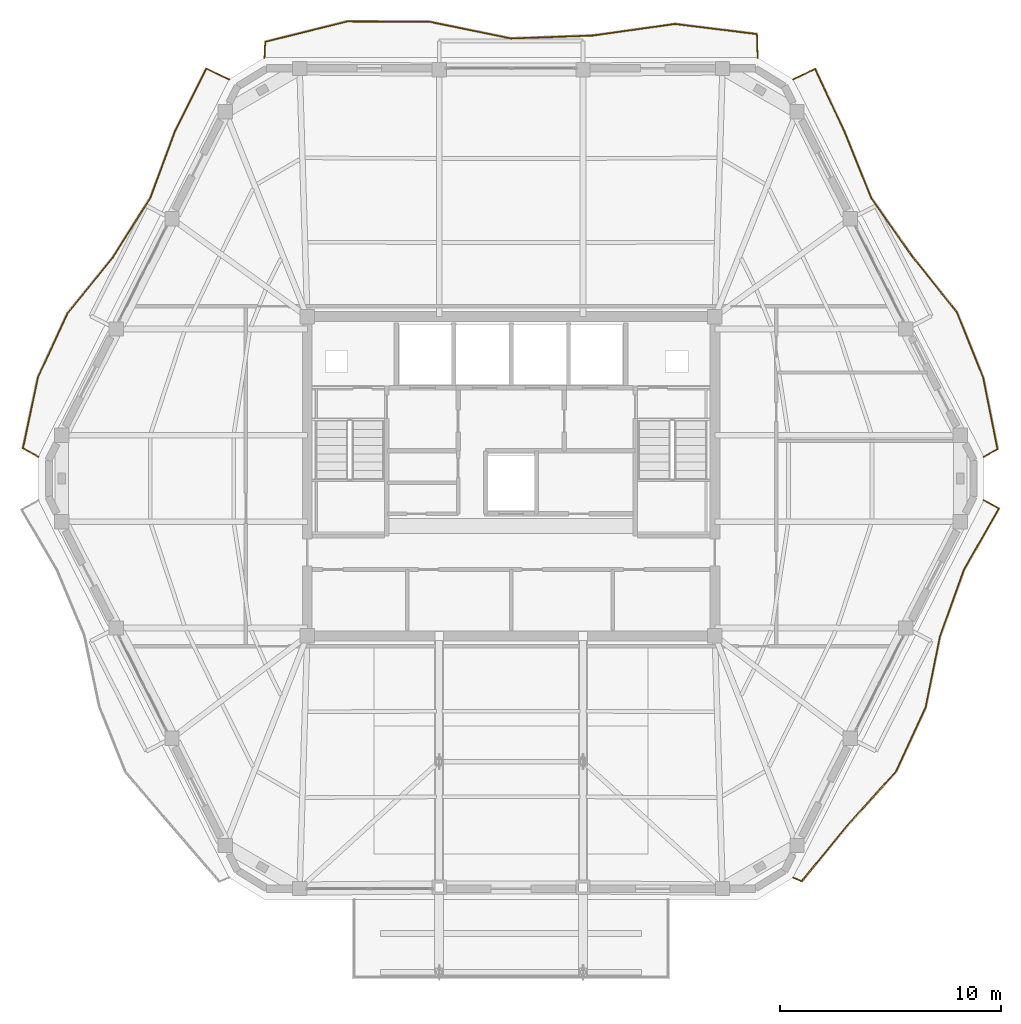
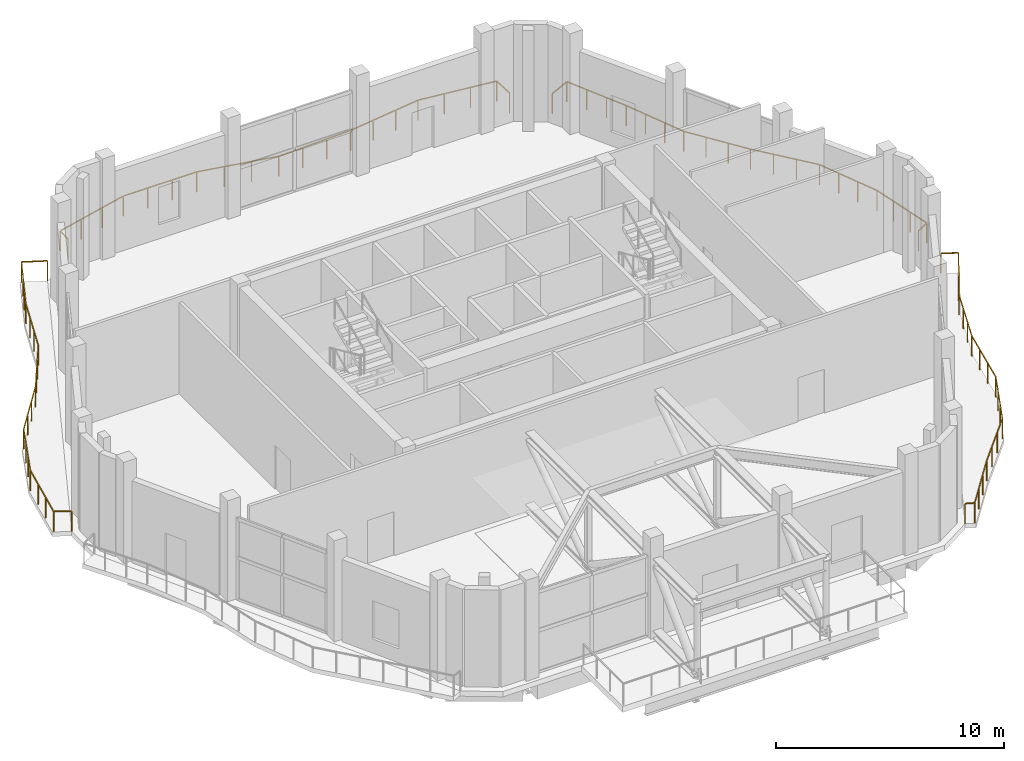
# One storey, part 23 of 23: 4 railings.
"""IFC4 building model written with IfcOpenShell, lengths in metres."""

from ifc_helpers import new_model, si_unit, direction, frame, origin, origin_2d, place, context, subcontext, project, spatial, rectangle, extrude, material, type_object, element, save


model = new_model("IFC4")

# Units and contexts
model_context = context("Model", 3, precision=1e-05, world=origin(), true_north=direction((0.0, 1.0)))
body_context = subcontext(model_context, "Body", "Model", "MODEL_VIEW")
ifc_project = project(units=[si_unit("LENGTHUNIT", "METRE"), si_unit("AREAUNIT", "SQUARE_METRE"), si_unit("VOLUMEUNIT", "CUBIC_METRE"), si_unit("PLANEANGLEUNIT", "RADIAN"), si_unit("MASSUNIT", "GRAM", prefix="KILO")], contexts=[model_context])

# Site, building, storey
site_placement = place(None, origin())
site = spatial("IfcSite", under=ifc_project, at=site_placement, CompositionType="ELEMENT")
building_placement = place(site_placement, origin())
building = spatial("IfcBuilding", under=site, at=building_placement, Name="Cinnabar Lancet Tower", CompositionType="ELEMENT")
storey_placement = place(building_placement, frame((0.0, 0.0, 278.10009765625)))
storey = spatial("IfcBuildingStorey", under=building, at=storey_placement, Name="L74", CompositionType="ELEMENT", Elevation=278.10009765625)

# Railings
ifc_material = material(Name="Laminated safety glass and bronze stainless steel balustrade", Category="steel")
railing_type = type_object("IfcRailingType", Name="ENV-RLG-BAL-1100", PredefinedType="BALUSTRADE", material=ifc_material)
railing_1_placement = place(storey_placement, frame((45.160888671875, 7.73193359375, 0.0)))
element("IfcRailing", 1, at=railing_1_placement, inside=storey, type_object=railing_type, Name="L74 Face 2 Wave Balcony Balustrade", PredefinedType="BALUSTRADE", context=body_context, shape_type="SweptSolid", body=[
    extrude(rectangle(XDim=0.048095703125, YDim=0.048095703125, at=origin_2d()), frame((0.0, 0.0, 1.076171875), z_axis=(0.924666203681, -0.380778691329, 0.0), x_axis=(0.380778691329, 0.924666203681, 0.0)), (0.0, 0.0, 1.0), 0.425048828125),
    extrude(rectangle(XDim=0.048095703125, YDim=0.048095703125, at=origin_2d()), frame((0.39306640625, -0.161865234375, 1.076171875), z_axis=(0.632796844453, 0.774317863445, 0.0), x_axis=(-0.774317863445, 0.632796844453, 0.0)), (0.0, 0.0, 1.0), 3.257080078125),
    extrude(rectangle(XDim=0.048095703125, YDim=0.048095703125, at=origin_2d()), frame((2.4541015625, 2.360107421875, 1.076171875), z_axis=(0.669933665181, 0.742420961623, 0.0), x_axis=(-0.742420961623, 0.669933665181, 0.0)), (0.0, 0.0, 1.0), 3.29736328125),
    extrude(rectangle(XDim=0.048095703125, YDim=0.048095703125, at=origin_2d()), frame((4.6630859375, 4.80810546875, 1.076171875), z_axis=(0.419729324534, 0.907649323321, 0.0), x_axis=(-0.907649323321, 0.419729324534, 0.0)), (0.0, 0.0, 1.0), 3.182861328125),
    extrude(rectangle(XDim=0.048095703125, YDim=0.048095703125, at=origin_2d()), frame((5.9990234375, 7.697021484375, 1.076171875), z_axis=(0.198279095856, 0.980145601503, 0.0), x_axis=(-0.980145601503, 0.198279095856, 0.0)), (0.0, 0.0, 1.0), 3.298583984375),
    extrude(rectangle(XDim=0.048095703125, YDim=0.048095703125, at=origin_2d()), frame((6.653076171875, 10.93017578125, 1.076171875), z_axis=(0.339582678235, 0.940576208844, 0.0), x_axis=(-0.940576208844, 0.339582678235, 0.0)), (0.0, 0.0, 1.0), 3.204345703125),
    extrude(rectangle(XDim=0.048095703125, YDim=0.048095703125, at=origin_2d()), frame((7.7412109375, 13.944091796875, 1.076171875), z_axis=(0.495453984845, 0.868634185893, 0.0), x_axis=(-0.868634185893, 0.495453984845, 0.0)), (0.0, 0.0, 1.0), 3.186767578125),
    extrude(rectangle(XDim=0.048095703125, YDim=0.048095703125, at=origin_2d()), frame((9.320068359375, 16.712158203125, 1.076171875), z_axis=(-0.875596078455, 0.48304400151, 0.0), x_axis=(-0.48304400151, -0.875596078455, 0.0)), (0.0, 0.0, 1.0), 0.7744140625),
    extrude(rectangle(XDim=0.0419921875, YDim=0.0419921875, at=origin_2d()), origin(), (0.0, 0.0, 1.0), 1.052001953125),
    extrude(rectangle(XDim=0.0419921875, YDim=0.0419921875, at=origin_2d()), frame((0.39306640625, -0.161865234375, 0.0)), (0.0, 0.0, 1.0), 1.052001953125),
    extrude(rectangle(XDim=0.0419921875, YDim=0.0419921875, at=origin_2d()), frame((1.080078125, 0.6787109375, 0.0)), (0.0, 0.0, 1.0), 1.052001953125),
    extrude(rectangle(XDim=0.0419921875, YDim=0.0419921875, at=origin_2d()), frame((1.76708984375, 1.51953125, 0.0)), (0.0, 0.0, 1.0), 1.052001953125),
    extrude(rectangle(XDim=0.0419921875, YDim=0.0419921875, at=origin_2d()), frame((2.4541015625, 2.360107421875, 0.0)), (0.0, 0.0, 1.0), 1.052001953125),
    extrude(rectangle(XDim=0.0419921875, YDim=0.0419921875, at=origin_2d()), frame((3.1904296875, 3.176025390625, 0.0)), (0.0, 0.0, 1.0), 1.052001953125),
    extrude(rectangle(XDim=0.0419921875, YDim=0.0419921875, at=origin_2d()), frame((3.9267578125, 3.9921875, 0.0)), (0.0, 0.0, 1.0), 1.052001953125),
    extrude(rectangle(XDim=0.0419921875, YDim=0.0419921875, at=origin_2d()), frame((4.6630859375, 4.80810546875, 0.0)), (0.0, 0.0, 1.0), 1.052001953125),
    extrude(rectangle(XDim=0.0419921875, YDim=0.0419921875, at=origin_2d()), frame((5.1083984375, 5.77099609375, 0.0)), (0.0, 0.0, 1.0), 1.052001953125),
    extrude(rectangle(XDim=0.0419921875, YDim=0.0419921875, at=origin_2d()), frame((5.5537109375, 6.734130859375, 0.0)), (0.0, 0.0, 1.0), 1.052001953125),
    extrude(rectangle(XDim=0.0419921875, YDim=0.0419921875, at=origin_2d()), frame((5.9990234375, 7.697021484375, 0.0)), (0.0, 0.0, 1.0), 1.052001953125),
    extrude(rectangle(XDim=0.0419921875, YDim=0.0419921875, at=origin_2d()), frame((6.217041015625, 8.774658203125, 0.0)), (0.0, 0.0, 1.0), 1.052001953125),
    extrude(rectangle(XDim=0.0419921875, YDim=0.0419921875, at=origin_2d()), frame((6.43505859375, 9.8525390625, 0.0)), (0.0, 0.0, 1.0), 1.052001953125),
    extrude(rectangle(XDim=0.0419921875, YDim=0.0419921875, at=origin_2d()), frame((6.653076171875, 10.93017578125, 0.0)), (0.0, 0.0, 1.0), 1.052001953125),
    extrude(rectangle(XDim=0.0419921875, YDim=0.0419921875, at=origin_2d()), frame((7.015869140625, 11.934814453125, 0.0)), (0.0, 0.0, 1.0), 1.052001953125),
    extrude(rectangle(XDim=0.0419921875, YDim=0.0419921875, at=origin_2d()), frame((7.37841796875, 12.939453125, 0.0)), (0.0, 0.0, 1.0), 1.052001953125),
    extrude(rectangle(XDim=0.0419921875, YDim=0.0419921875, at=origin_2d()), frame((7.7412109375, 13.944091796875, 0.0)), (0.0, 0.0, 1.0), 1.052001953125),
    extrude(rectangle(XDim=0.0419921875, YDim=0.0419921875, at=origin_2d()), frame((8.267578125, 14.86669921875, 0.0)), (0.0, 0.0, 1.0), 1.052001953125),
    extrude(rectangle(XDim=0.0419921875, YDim=0.0419921875, at=origin_2d()), frame((8.793701171875, 15.78955078125, 0.0)), (0.0, 0.0, 1.0), 1.052001953125),
    extrude(rectangle(XDim=0.0419921875, YDim=0.0419921875, at=origin_2d()), frame((9.320068359375, 16.712158203125, 0.0)), (0.0, 0.0, 1.0), 1.052001953125),
    extrude(rectangle(XDim=0.0419921875, YDim=0.0419921875, at=origin_2d()), frame((8.64208984375, 17.086181640625, 0.0)), (0.0, 0.0, 1.0), 1.052001953125),
])
railing_2_placement = place(storey_placement, frame((53.802978515625, 26.781982421875, 0.0)))
element("IfcRailing", 2, at=railing_2_placement, inside=storey, type_object=railing_type, Name="L74 Face 3 Wave Balcony Balustrade", PredefinedType="BALUSTRADE", context=body_context, shape_type="SweptSolid", body=[
    extrude(rectangle(XDim=0.048095703125, YDim=0.048095703125, at=origin_2d()), frame((0.0, 0.0, 1.076171875), z_axis=(0.87392807114, 0.486055271007, 0.0), x_axis=(-0.486055271007, 0.87392807114, 0.0)), (0.0, 0.0, 1.0), 0.70361328125),
    extrude(rectangle(XDim=0.048095703125, YDim=0.048095703125, at=origin_2d()), frame((0.614990234375, 0.342041015625, 1.076171875), z_axis=(-0.195988129609, 0.980606268108, 0.0), x_axis=(-0.980606268108, -0.195988129609, 0.0)), (0.0, 0.0, 1.0), 3.301025390625),
    extrude(rectangle(XDim=0.048095703125, YDim=0.048095703125, at=origin_2d()), frame((-0.031982421875, 3.5791015625, 1.076171875), z_axis=(-0.373208848751, 0.927747355272, 0.0), x_axis=(-0.927747355272, -0.373208848751, 0.0)), (0.0, 0.0, 1.0), 3.193603515625),
    extrude(rectangle(XDim=0.048095703125, YDim=0.048095703125, at=origin_2d()), frame((-1.223876953125, 6.5419921875, 1.076171875), z_axis=(-0.624429297573, 0.781081335286, 0.0), x_axis=(-0.781081335286, -0.624429297573, 0.0)), (0.0, 0.0, 1.0), 3.24951171875),
    extrude(rectangle(XDim=0.048095703125, YDim=0.048095703125, at=origin_2d()), frame((-3.2529296875, 9.080078125, 1.076171875), z_axis=(-0.575113201793, 0.81807383843, 0.0), x_axis=(-0.81807383843, -0.575113201793, 0.0)), (0.0, 0.0, 1.0), 3.213623046875),
    extrude(rectangle(XDim=0.048095703125, YDim=0.048095703125, at=origin_2d()), frame((-5.10107421875, 11.708984375, 1.076171875), z_axis=(-0.373445516461, 0.927652114877, 0.0), x_axis=(-0.927652114877, -0.373445516461, 0.0)), (0.0, 0.0, 1.0), 3.1943359375),
    extrude(rectangle(XDim=0.048095703125, YDim=0.048095703125, at=origin_2d()), frame((-6.2939453125, 14.672119140625, 1.076171875), z_axis=(-0.422667202893, 0.906284963794, 0.0), x_axis=(-0.906284963794, -0.422667202893, 0.0)), (0.0, 0.0, 1.0), 3.184326171875),
    extrude(rectangle(XDim=0.048095703125, YDim=0.048095703125, at=origin_2d()), frame((-7.639892578125, 17.55810546875, 1.076171875), z_axis=(-0.904628829836, -0.426200281828, 0.0), x_axis=(0.426200281828, -0.904628829836, 0.0)), (0.0, 0.0, 1.0), 1.10791015625),
    extrude(rectangle(XDim=0.0419921875, YDim=0.0419921875, at=origin_2d()), origin(), (0.0, 0.0, 1.0), 1.052001953125),
    extrude(rectangle(XDim=0.0419921875, YDim=0.0419921875, at=origin_2d()), frame((0.614990234375, 0.342041015625, 0.0)), (0.0, 0.0, 1.0), 1.052001953125),
    extrude(rectangle(XDim=0.0419921875, YDim=0.0419921875, at=origin_2d()), frame((0.3994140625, 1.421142578125, 0.0)), (0.0, 0.0, 1.0), 1.052001953125),
    extrude(rectangle(XDim=0.0419921875, YDim=0.0419921875, at=origin_2d()), frame((0.18359375, 2.5, 0.0)), (0.0, 0.0, 1.0), 1.052001953125),
    extrude(rectangle(XDim=0.0419921875, YDim=0.0419921875, at=origin_2d()), frame((-0.031982421875, 3.5791015625, 0.0)), (0.0, 0.0, 1.0), 1.052001953125),
    extrude(rectangle(XDim=0.0419921875, YDim=0.0419921875, at=origin_2d()), frame((-0.42919921875, 4.566650390625, 0.0)), (0.0, 0.0, 1.0), 1.052001953125),
    extrude(rectangle(XDim=0.0419921875, YDim=0.0419921875, at=origin_2d()), frame((-0.82666015625, 5.554443359375, 0.0)), (0.0, 0.0, 1.0), 1.052001953125),
    extrude(rectangle(XDim=0.0419921875, YDim=0.0419921875, at=origin_2d()), frame((-1.223876953125, 6.5419921875, 0.0)), (0.0, 0.0, 1.0), 1.052001953125),
    extrude(rectangle(XDim=0.0419921875, YDim=0.0419921875, at=origin_2d()), frame((-1.900146484375, 7.387939453125, 0.0)), (0.0, 0.0, 1.0), 1.052001953125),
    extrude(rectangle(XDim=0.0419921875, YDim=0.0419921875, at=origin_2d()), frame((-2.57666015625, 8.234130859375, 0.0)), (0.0, 0.0, 1.0), 1.052001953125),
    extrude(rectangle(XDim=0.0419921875, YDim=0.0419921875, at=origin_2d()), frame((-3.2529296875, 9.080078125, 0.0)), (0.0, 0.0, 1.0), 1.052001953125),
    extrude(rectangle(XDim=0.0419921875, YDim=0.0419921875, at=origin_2d()), frame((-3.868896484375, 9.956298828125, 0.0)), (0.0, 0.0, 1.0), 1.052001953125),
    extrude(rectangle(XDim=0.0419921875, YDim=0.0419921875, at=origin_2d()), frame((-4.485107421875, 10.832763671875, 0.0)), (0.0, 0.0, 1.0), 1.052001953125),
    extrude(rectangle(XDim=0.0419921875, YDim=0.0419921875, at=origin_2d()), frame((-5.10107421875, 11.708984375, 0.0)), (0.0, 0.0, 1.0), 1.052001953125),
    extrude(rectangle(XDim=0.0419921875, YDim=0.0419921875, at=origin_2d()), frame((-5.498779296875, 12.69677734375, 0.0)), (0.0, 0.0, 1.0), 1.052001953125),
    extrude(rectangle(XDim=0.0419921875, YDim=0.0419921875, at=origin_2d()), frame((-5.896240234375, 13.684326171875, 0.0)), (0.0, 0.0, 1.0), 1.052001953125),
    extrude(rectangle(XDim=0.0419921875, YDim=0.0419921875, at=origin_2d()), frame((-6.2939453125, 14.672119140625, 0.0)), (0.0, 0.0, 1.0), 1.052001953125),
    extrude(rectangle(XDim=0.0419921875, YDim=0.0419921875, at=origin_2d()), frame((-6.74267578125, 15.634033203125, 0.0)), (0.0, 0.0, 1.0), 1.052001953125),
    extrude(rectangle(XDim=0.0419921875, YDim=0.0419921875, at=origin_2d()), frame((-7.191162109375, 16.59619140625, 0.0)), (0.0, 0.0, 1.0), 1.052001953125),
    extrude(rectangle(XDim=0.0419921875, YDim=0.0419921875, at=origin_2d()), frame((-7.639892578125, 17.55810546875, 0.0)), (0.0, 0.0, 1.0), 1.052001953125),
    extrude(rectangle(XDim=0.0419921875, YDim=0.0419921875, at=origin_2d()), frame((-8.64208984375, 17.0859375, 0.0)), (0.0, 0.0, 1.0), 1.052001953125),
])
railing_3_placement = place(storey_placement, frame((43.56396484375, 44.85009765625, 0.0)))
element("IfcRailing", 3, at=railing_3_placement, inside=storey, type_object=railing_type, Name="L74 Face 4 Wave Balcony Balustrade", PredefinedType="BALUSTRADE", context=body_context, shape_type="SweptSolid", body=[
    extrude(rectangle(XDim=0.048095703125, YDim=0.048095703125, at=origin_2d()), frame((0.0, 0.0, 1.076171875), z_axis=(-0.031791701999, 0.999494516085, 0.0), x_axis=(-0.999494516085, -0.031791701999, 0.0)), (0.0, 0.0, 1.0), 1.0673828125),
    extrude(rectangle(XDim=0.048095703125, YDim=0.048095703125, at=origin_2d()), frame((-0.033935546875, 1.06689453125, 1.076171875), z_axis=(-0.99246954568, 0.122491636033, 0.0), x_axis=(-0.122491636033, -0.99246954568, 0.0)), (0.0, 0.0, 1.0), 3.739013671875),
    extrude(rectangle(XDim=0.048095703125, YDim=0.048095703125, at=origin_2d()), frame((-3.744873046875, 1.52490234375, 1.076171875), z_axis=(-0.99021737987, -0.139533295683, 0.0), x_axis=(0.139533295683, -0.99021737987, 0.0)), (0.0, 0.0, 1.0), 3.747802734375),
    extrude(rectangle(XDim=0.048095703125, YDim=0.048095703125, at=origin_2d()), frame((-7.4560546875, 1.001953125, 1.076171875), z_axis=(-0.999337802495, -0.036386213114, 0.0), x_axis=(0.036386213114, -0.999337802495, 0.0)), (0.0, 0.0, 1.0), 3.71044921875),
    extrude(rectangle(XDim=0.048095703125, YDim=0.048095703125, at=origin_2d()), frame((-11.1640625, 0.866943359375, 1.076171875), z_axis=(-0.979543102319, 0.201234466978, 0.0), x_axis=(-0.201234466978, -0.979543102319, 0.0)), (0.0, 0.0, 1.0), 3.786376953125),
    extrude(rectangle(XDim=0.048095703125, YDim=0.048095703125, at=origin_2d()), frame((-14.873046875, 1.62890625, 1.076171875), z_axis=(-0.999997035763, 0.002434844059, 0.0), x_axis=(-0.002434844059, -0.999997035763, 0.0)), (0.0, 0.0, 1.0), 3.7099609375),
    extrude(rectangle(XDim=0.048095703125, YDim=0.048095703125, at=origin_2d()), frame((-18.5830078125, 1.637939453125, 1.076171875), z_axis=(-0.970546789729, -0.240912699845, 0.0), x_axis=(0.240912699845, -0.970546789729, 0.0)), (0.0, 0.0, 1.0), 3.823486328125),
    extrude(rectangle(XDim=0.048095703125, YDim=0.048095703125, at=origin_2d()), frame((-22.2939453125, 0.716796875, 1.076171875), z_axis=(-0.047290355841, -0.998881185249, 0.0), x_axis=(0.998881185249, -0.047290355841, 0.0)), (0.0, 0.0, 1.0), 0.717529296875),
    extrude(rectangle(XDim=0.0419921875, YDim=0.0419921875, at=origin_2d()), origin(), (0.0, 0.0, 1.0), 1.052001953125),
    extrude(rectangle(XDim=0.0419921875, YDim=0.0419921875, at=origin_2d()), frame((-0.033935546875, 1.06689453125, 0.0)), (0.0, 0.0, 1.0), 1.052001953125),
    extrude(rectangle(XDim=0.0419921875, YDim=0.0419921875, at=origin_2d()), frame((-1.27099609375, 1.219482421875, 0.0)), (0.0, 0.0, 1.0), 1.052001953125),
    extrude(rectangle(XDim=0.0419921875, YDim=0.0419921875, at=origin_2d()), frame((-2.5078125, 1.372314453125, 0.0)), (0.0, 0.0, 1.0), 1.052001953125),
    extrude(rectangle(XDim=0.0419921875, YDim=0.0419921875, at=origin_2d()), frame((-3.744873046875, 1.52490234375, 0.0)), (0.0, 0.0, 1.0), 1.052001953125),
    extrude(rectangle(XDim=0.0419921875, YDim=0.0419921875, at=origin_2d()), frame((-4.98193359375, 1.3505859375, 0.0)), (0.0, 0.0, 1.0), 1.052001953125),
    extrude(rectangle(XDim=0.0419921875, YDim=0.0419921875, at=origin_2d()), frame((-6.218994140625, 1.17626953125, 0.0)), (0.0, 0.0, 1.0), 1.052001953125),
    extrude(rectangle(XDim=0.0419921875, YDim=0.0419921875, at=origin_2d()), frame((-7.4560546875, 1.001953125, 0.0)), (0.0, 0.0, 1.0), 1.052001953125),
    extrude(rectangle(XDim=0.0419921875, YDim=0.0419921875, at=origin_2d()), frame((-8.692138671875, 0.95703125, 0.0)), (0.0, 0.0, 1.0), 1.052001953125),
    extrude(rectangle(XDim=0.0419921875, YDim=0.0419921875, at=origin_2d()), frame((-9.927978515625, 0.911865234375, 0.0)), (0.0, 0.0, 1.0), 1.052001953125),
    extrude(rectangle(XDim=0.0419921875, YDim=0.0419921875, at=origin_2d()), frame((-11.1640625, 0.866943359375, 0.0)), (0.0, 0.0, 1.0), 1.052001953125),
    extrude(rectangle(XDim=0.0419921875, YDim=0.0419921875, at=origin_2d()), frame((-12.400390625, 1.120849609375, 0.0)), (0.0, 0.0, 1.0), 1.052001953125),
    extrude(rectangle(XDim=0.0419921875, YDim=0.0419921875, at=origin_2d()), frame((-13.63671875, 1.375, 0.0)), (0.0, 0.0, 1.0), 1.052001953125),
    extrude(rectangle(XDim=0.0419921875, YDim=0.0419921875, at=origin_2d()), frame((-14.873046875, 1.62890625, 0.0)), (0.0, 0.0, 1.0), 1.052001953125),
    extrude(rectangle(XDim=0.0419921875, YDim=0.0419921875, at=origin_2d()), frame((-16.109619140625, 1.6318359375, 0.0)), (0.0, 0.0, 1.0), 1.052001953125),
    extrude(rectangle(XDim=0.0419921875, YDim=0.0419921875, at=origin_2d()), frame((-17.346435546875, 1.635009765625, 0.0)), (0.0, 0.0, 1.0), 1.052001953125),
    extrude(rectangle(XDim=0.0419921875, YDim=0.0419921875, at=origin_2d()), frame((-18.5830078125, 1.637939453125, 0.0)), (0.0, 0.0, 1.0), 1.052001953125),
    extrude(rectangle(XDim=0.0419921875, YDim=0.0419921875, at=origin_2d()), frame((-19.820068359375, 1.330810546875, 0.0)), (0.0, 0.0, 1.0), 1.052001953125),
    extrude(rectangle(XDim=0.0419921875, YDim=0.0419921875, at=origin_2d()), frame((-21.056884765625, 1.02392578125, 0.0)), (0.0, 0.0, 1.0), 1.052001953125),
    extrude(rectangle(XDim=0.0419921875, YDim=0.0419921875, at=origin_2d()), frame((-22.2939453125, 0.716796875, 0.0)), (0.0, 0.0, 1.0), 1.052001953125),
    extrude(rectangle(XDim=0.0419921875, YDim=0.0419921875, at=origin_2d()), frame((-22.327880859375, 0.0, 0.0)), (0.0, 0.0, 1.0), 1.052001953125),
])
railing_4_placement = place(storey_placement, frame((19.638916015625, 43.867919921875, 0.0)))
element("IfcRailing", 4, at=railing_4_placement, inside=storey, type_object=railing_type, Name="L74 Face 5 Wave Balcony Balustrade", PredefinedType="BALUSTRADE", context=body_context, shape_type="SweptSolid", body=[
    extrude(rectangle(XDim=0.048095703125, YDim=0.048095703125, at=origin_2d()), frame((0.0, 0.0, 1.076171875), z_axis=(-0.904145675016, 0.42722429513, 0.0), x_axis=(-0.42722429513, -0.904145675016, 0.0)), (0.0, 0.0, 1.0), 1.14453125),
    extrude(rectangle(XDim=0.048095703125, YDim=0.048095703125, at=origin_2d()), frame((-1.034912109375, 0.489013671875, 1.076171875), z_axis=(-0.446753361175, -0.89465716019, 0.0), x_axis=(0.89465716019, -0.446753361175, 0.0)), (0.0, 0.0, 1.0), 3.183349609375),
    extrude(rectangle(XDim=0.048095703125, YDim=0.048095703125, at=origin_2d()), frame((-2.45703125, -2.35888671875, 1.076171875), z_axis=(-0.346817795761, -0.937932522383, 0.0), x_axis=(0.937932522383, -0.346817795761, 0.0)), (0.0, 0.0, 1.0), 3.202880859375),
    extrude(rectangle(XDim=0.048095703125, YDim=0.048095703125, at=origin_2d()), frame((-3.56787109375, -5.363037109375, 1.076171875), z_axis=(-0.53190071353, -0.846806725851, 0.0), x_axis=(0.846806725851, -0.53190071353, 0.0)), (0.0, 0.0, 1.0), 3.194091796875),
    extrude(rectangle(XDim=0.048095703125, YDim=0.048095703125, at=origin_2d()), frame((-5.266845703125, -8.06787109375, 1.076171875), z_axis=(-0.63050507361, -0.7761851275, 0.0), x_axis=(0.7761851275, -0.63050507361, 0.0)), (0.0, 0.0, 1.0), 3.254638671875),
    extrude(rectangle(XDim=0.048095703125, YDim=0.048095703125, at=origin_2d()), frame((-7.31884765625, -10.593994140625, 1.076171875), z_axis=(-0.418990097687, -0.907990802839, 0.0), x_axis=(0.907990802839, -0.418990097687, 0.0)), (0.0, 0.0, 1.0), 3.183837890625),
    extrude(rectangle(XDim=0.048095703125, YDim=0.048095703125, at=origin_2d()), frame((-8.65283203125, -13.48486328125, 1.076171875), z_axis=(-0.207020052484, -0.978336699644, 0.0), x_axis=(0.978336699644, -0.207020052484, 0.0)), (0.0, 0.0, 1.0), 3.290283203125),
    extrude(rectangle(XDim=0.048095703125, YDim=0.048095703125, at=origin_2d()), frame((-9.333984375, -16.703857421875, 1.076171875), z_axis=(0.875465060053, -0.48328141763, 0.0), x_axis=(0.48328141763, 0.875465060053, 0.0)), (0.0, 0.0, 1.0), 0.79052734375),
    extrude(rectangle(XDim=0.0419921875, YDim=0.0419921875, at=origin_2d()), origin(), (0.0, 0.0, 1.0), 1.052001953125),
    extrude(rectangle(XDim=0.0419921875, YDim=0.0419921875, at=origin_2d()), frame((-1.034912109375, 0.489013671875, 0.0)), (0.0, 0.0, 1.0), 1.052001953125),
    extrude(rectangle(XDim=0.0419921875, YDim=0.0419921875, at=origin_2d()), frame((-1.509033203125, -0.460205078125, 0.0)), (0.0, 0.0, 1.0), 1.052001953125),
    extrude(rectangle(XDim=0.0419921875, YDim=0.0419921875, at=origin_2d()), frame((-1.98291015625, -1.40966796875, 0.0)), (0.0, 0.0, 1.0), 1.052001953125),
    extrude(rectangle(XDim=0.0419921875, YDim=0.0419921875, at=origin_2d()), frame((-2.45703125, -2.35888671875, 0.0)), (0.0, 0.0, 1.0), 1.052001953125),
    extrude(rectangle(XDim=0.0419921875, YDim=0.0419921875, at=origin_2d()), frame((-2.827392578125, -3.3603515625, 0.0)), (0.0, 0.0, 1.0), 1.052001953125),
    extrude(rectangle(XDim=0.0419921875, YDim=0.0419921875, at=origin_2d()), frame((-3.197509765625, -4.361572265625, 0.0)), (0.0, 0.0, 1.0), 1.052001953125),
    extrude(rectangle(XDim=0.0419921875, YDim=0.0419921875, at=origin_2d()), frame((-3.56787109375, -5.363037109375, 0.0)), (0.0, 0.0, 1.0), 1.052001953125),
    extrude(rectangle(XDim=0.0419921875, YDim=0.0419921875, at=origin_2d()), frame((-4.13427734375, -6.2646484375, 0.0)), (0.0, 0.0, 1.0), 1.052001953125),
    extrude(rectangle(XDim=0.0419921875, YDim=0.0419921875, at=origin_2d()), frame((-4.700439453125, -7.166259765625, 0.0)), (0.0, 0.0, 1.0), 1.052001953125),
    extrude(rectangle(XDim=0.0419921875, YDim=0.0419921875, at=origin_2d()), frame((-5.266845703125, -8.06787109375, 0.0)), (0.0, 0.0, 1.0), 1.052001953125),
    extrude(rectangle(XDim=0.0419921875, YDim=0.0419921875, at=origin_2d()), frame((-5.950927734375, -8.909912109375, 0.0)), (0.0, 0.0, 1.0), 1.052001953125),
    extrude(rectangle(XDim=0.0419921875, YDim=0.0419921875, at=origin_2d()), frame((-6.634765625, -9.751953125, 0.0)), (0.0, 0.0, 1.0), 1.052001953125),
    extrude(rectangle(XDim=0.0419921875, YDim=0.0419921875, at=origin_2d()), frame((-7.31884765625, -10.593994140625, 0.0)), (0.0, 0.0, 1.0), 1.052001953125),
    extrude(rectangle(XDim=0.0419921875, YDim=0.0419921875, at=origin_2d()), frame((-7.763427734375, -11.5576171875, 0.0)), (0.0, 0.0, 1.0), 1.052001953125),
    extrude(rectangle(XDim=0.0419921875, YDim=0.0419921875, at=origin_2d()), frame((-8.208251953125, -12.521240234375, 0.0)), (0.0, 0.0, 1.0), 1.052001953125),
    extrude(rectangle(XDim=0.0419921875, YDim=0.0419921875, at=origin_2d()), frame((-8.65283203125, -13.48486328125, 0.0)), (0.0, 0.0, 1.0), 1.052001953125),
    extrude(rectangle(XDim=0.0419921875, YDim=0.0419921875, at=origin_2d()), frame((-8.8798828125, -14.557861328125, 0.0)), (0.0, 0.0, 1.0), 1.052001953125),
    extrude(rectangle(XDim=0.0419921875, YDim=0.0419921875, at=origin_2d()), frame((-9.10693359375, -15.630859375, 0.0)), (0.0, 0.0, 1.0), 1.052001953125),
    extrude(rectangle(XDim=0.0419921875, YDim=0.0419921875, at=origin_2d()), frame((-9.333984375, -16.703857421875, 0.0)), (0.0, 0.0, 1.0), 1.052001953125),
    extrude(rectangle(XDim=0.0419921875, YDim=0.0419921875, at=origin_2d()), frame((-8.641845703125, -17.0859375, 0.0)), (0.0, 0.0, 1.0), 1.052001953125),
])

save(model, "model.ifc")
